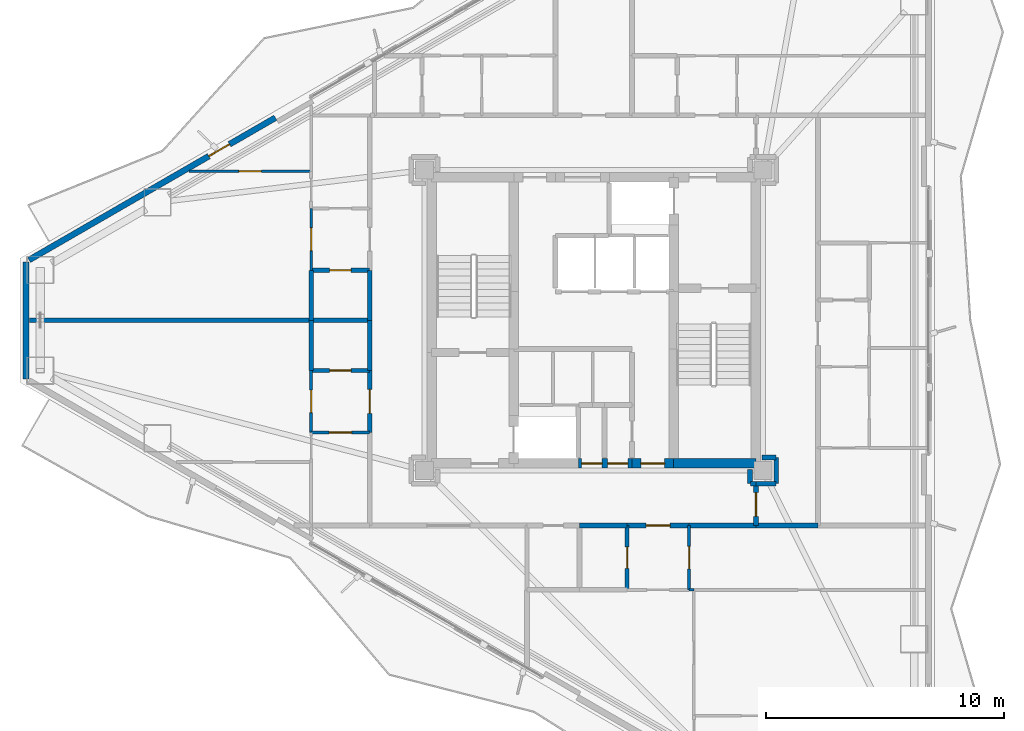
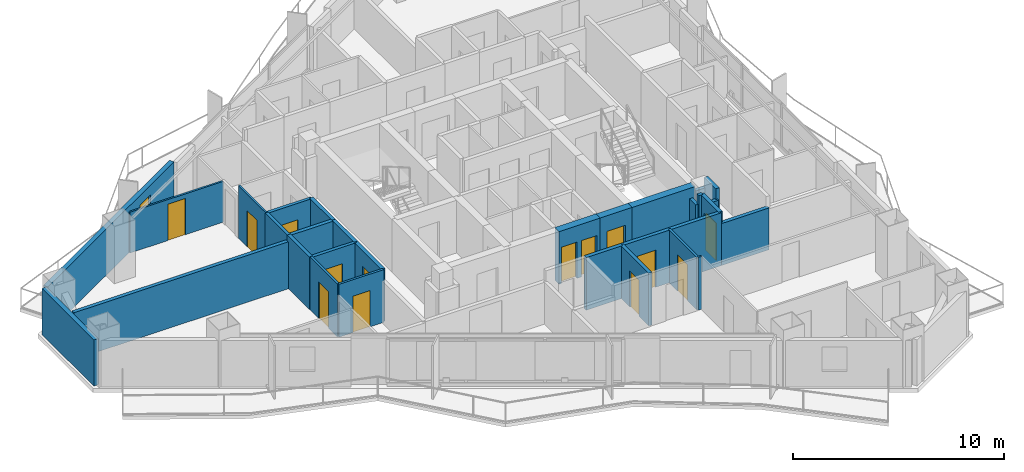
# One storey, part 16 of 22: 31 walls, 15 doors, 15 openings.
"""IFC4 building model written with IfcOpenShell, lengths in metres."""

from ifc_helpers import new_model, si_unit, direction, frame, frame_2d, origin, place, context, subcontext, project, spatial, rectangle, extrude, material, layer, layer_set, type_object, element, fill, save


model = new_model("IFC4")

# Units and contexts
model_context = context("Model", 3, precision=1e-05, world=origin(), true_north=direction((0.0, 1.0)))
body_context = subcontext(model_context, "Body", "Model", "MODEL_VIEW")
ifc_project = project(units=[si_unit("LENGTHUNIT", "METRE"), si_unit("AREAUNIT", "SQUARE_METRE"), si_unit("VOLUMEUNIT", "CUBIC_METRE"), si_unit("PLANEANGLEUNIT", "RADIAN"), si_unit("MASSUNIT", "GRAM", prefix="KILO")], contexts=[model_context])

# Site, building, storey
site_placement = place(None, origin())
site = spatial("IfcSite", under=ifc_project, at=site_placement, CompositionType="ELEMENT")
building_placement = place(site_placement, origin())
building = spatial("IfcBuilding", under=site, at=building_placement, Name="Mersakhor Tower and Convention Hall", CompositionType="ELEMENT")
storey_placement = place(building_placement, frame((0.0, 0.0, 103.199951171875)))
storey = spatial("IfcBuildingStorey", under=building, at=storey_placement, Name="L28", CompositionType="ELEMENT", Elevation=103.199951171875)

# Wall
ifc_material_1 = material(Name="Precast concrete C40/50", Category="concrete")
ifc_layer_1 = layer(ifc_material_1, 0.25)
ifc_layer_set_1 = layer_set([ifc_layer_1], Name="Precast concrete C40/50")
wall_type_1 = type_object("IfcWallType", Name="WL-EXT-250", PredefinedType="SOLIDWALL", material=ifc_layer_set_1)
wall_1_placement = place(storey_placement, frame((5.186767578125, 24.292724609375, 0.0), z_axis=(0.0, 0.0, 1.0), x_axis=(0.0, 1.0, 0.0)))
element("IfcWall", 1, at=wall_1_placement, inside=storey, type_object=wall_type_1, Name="L28 Chamfer Braced Spandrel Wall C3", PredefinedType="SOLIDWALL", context=body_context, shape_type="SweptSolid", body=[
    extrude(rectangle(XDim=4.91455078125, YDim=0.25, at=frame_2d((2.457275390625, 0.0))), origin(), (0.0, 0.0, 1.0), 2.670166015625),
])

# Wall, opening, door
wall_2_placement = place(storey_placement, frame((5.316650390625, 29.2822265625, 0.0), z_axis=(0.0, 0.0, 1.0), x_axis=(0.866023023012, 0.500004123596, 0.0)))
wall_2 = element("IfcWall", 2, at=wall_2_placement, inside=storey, type_object=wall_type_1, Name="L28 Exterior Facade Wall F1-B1", PredefinedType="SOLIDWALL", context=body_context, shape_type="SweptSolid", body=[
    extrude(rectangle(XDim=11.9296875, YDim=0.25, at=frame_2d((5.96484375, 0.0))), origin(), (0.0, 0.0, 1.0), 2.670166015625),
])
opening_1_placement = place(wall_2_placement, frame((8.7041015625, 0.0, 0.0)))
opening_1 = element("IfcOpeningElement", 3, at=opening_1_placement, cuts=wall_2, Name="Opening BD-01", PredefinedType="OPENING", context=body_context, shape_type="SweptSolid", body=[
    extrude(rectangle(XDim=1.0, YDim=2.10009765625, at=frame_2d((0.5, 1.050048828125))), frame((0.0, 0.135009765625, 0.0), z_axis=(0.0, -1.0, 0.0), x_axis=(1.0, 0.0, 0.0)), (0.0, 0.0, 1.0), 0.27001953125),
])
ifc_material_2 = material(Name="Thermally broken dark aluminium and safety glass", Category="aluminium")
door_type_1 = type_object("IfcDoorType", Name="DR-BAL-100x210", OperationType="NOTDEFINED", PredefinedType="DOOR", material=ifc_material_2)
door_1_placement = place(opening_1_placement, origin())
door_1 = element("IfcDoor", 4, at=door_1_placement, inside=storey, type_object=door_type_1, Name="L28 Balcony Terrace Door F1-B1", OperationType="SINGLE_SWING_LEFT", OverallHeight=2.10009765625, OverallWidth=1.0, PredefinedType="DOOR", context=body_context, shape_type="SweptSolid", body=[
    extrude(rectangle(XDim=1.0, YDim=2.10009765625, at=frame_2d((0.5, 1.050048828125))), frame((0.0, 0.02490234375, 0.0), z_axis=(0.0, -1.0, 0.0), x_axis=(1.0, 0.0, 0.0)), (0.0, 0.0, 1.0), 0.050048828125),
])
fill(opening_1, door_1)

ifc_material_3 = material(Name="Moisture-resistant acoustic drywall studwork", Category="other")
ifc_layer_2 = layer(ifc_material_3, 0.175048828125)
ifc_layer_set_2 = layer_set([ifc_layer_2], Name="Moisture-resistant acoustic drywall studwork")
wall_type_2 = type_object("IfcWallType", Name="WL-PLM-175", PredefinedType="PLUMBINGWALL", material=ifc_layer_set_2)
wall_3_placement = place(storey_placement, frame((30.39990234375, 15.449951171875, 0.0), z_axis=(0.0, 0.0, 1.0), x_axis=(0.0, 1.0, 0.0)))
wall_3 = element("IfcWall", 5, at=wall_3_placement, inside=storey, type_object=wall_type_2, Name="L28 Interior Partition Wall P-072", PredefinedType="PLUMBINGWALL", context=body_context, shape_type="SweptSolid", body=[
    extrude(rectangle(XDim=2.699951171875, YDim=0.175048828125, at=frame_2d((1.35009765625, 0.0))), origin(), (0.0, 0.0, 1.0), 3.050048828125),
])
opening_2_placement = place(wall_3_placement, frame((0.89990234375, 0.0, 0.0)))
opening_2 = element("IfcOpeningElement", 6, at=opening_2_placement, cuts=wall_3, Name="Opening WD-01", PredefinedType="OPENING", context=body_context, shape_type="SweptSolid", body=[
    extrude(rectangle(XDim=0.89990234375, YDim=2.10009765625, at=frame_2d((0.449951171875, 1.050048828125))), frame((0.0, 0.097412109375, 0.0), z_axis=(0.0, -1.0, 0.0), x_axis=(1.0, 0.0, 0.0)), (0.0, 0.0, 1.0), 0.195068359375),
])
ifc_material_4 = material(Name="Solid-core hardwood leaf in painted steel frame", Category="steel")
door_type_2 = type_object("IfcDoorType", Name="DR-INT-WET-090x210", OperationType="NOTDEFINED", PredefinedType="DOOR", material=ifc_material_4)
door_2_placement = place(opening_2_placement, origin())
door_2 = element("IfcDoor", 7, at=door_2_placement, inside=storey, type_object=door_type_2, Name="L28 L28 Flat S3 Apartment Hall to L28 Flat S3 Bathroom Door", OperationType="SINGLE_SWING_RIGHT", OverallHeight=2.10009765625, OverallWidth=0.89990234375, PredefinedType="DOOR", context=body_context, shape_type="SweptSolid", body=[
    extrude(rectangle(XDim=0.89990234375, YDim=2.10009765625, at=frame_2d((0.449951171875, 1.050048828125))), frame((0.0, 0.02490234375, 0.0), z_axis=(0.0, -1.0, 0.0), x_axis=(1.0, 0.0, 0.0)), (0.0, 0.0, 1.0), 0.050048828125),
])
fill(opening_2, door_2)

wall_4_placement = place(storey_placement, frame((19.60009765625, 28.85009765625, 0.0), z_axis=(0.0, 0.0, 1.0), x_axis=(-1.0, 0.0, 0.0)))
wall_4 = element("IfcWall", 8, at=wall_4_placement, inside=storey, type_object=wall_type_2, Name="L28 Interior Partition Wall P-076", PredefinedType="PLUMBINGWALL", context=body_context, shape_type="SweptSolid", body=[
    extrude(rectangle(XDim=2.4501953125, YDim=0.175048828125, at=frame_2d((1.22509765625, 0.0))), origin(), (0.0, 0.0, 1.0), 3.050048828125),
])
opening_3_placement = place(wall_4_placement, frame((0.77490234375, 0.0, 0.0)))
opening_3 = element("IfcOpeningElement", 9, at=opening_3_placement, cuts=wall_4, Name="Opening WD-01", PredefinedType="OPENING", context=body_context, shape_type="SweptSolid", body=[
    extrude(rectangle(XDim=0.89990234375, YDim=2.10009765625, at=frame_2d((0.449951171875, 1.050048828125))), frame((0.0, 0.097412109375, 0.0), z_axis=(0.0, -1.0, 0.0), x_axis=(1.0, 0.0, 0.0)), (0.0, 0.0, 1.0), 0.195068359375),
])
door_3_placement = place(opening_3_placement, origin())
door_3 = element("IfcDoor", 10, at=door_3_placement, inside=storey, type_object=door_type_2, Name="L28 L28 Flat W4 Apartment Hall to L28 Flat W4 Bathroom Door", OperationType="SINGLE_SWING_LEFT", OverallHeight=2.10009765625, OverallWidth=0.89990234375, PredefinedType="DOOR", context=body_context, shape_type="SweptSolid", body=[
    extrude(rectangle(XDim=0.89990234375, YDim=2.10009765625, at=frame_2d((0.449951171875, 1.050048828125))), frame((0.0, 0.02490234375, 0.0), z_axis=(0.0, -1.0, 0.0), x_axis=(1.0, 0.0, 0.0)), (0.0, 0.0, 1.0), 0.050048828125),
])
fill(opening_3, door_3)

wall_5_placement = place(storey_placement, frame((17.14990234375, 24.64990234375, 0.0), z_axis=(0.0, 0.0, 1.0), x_axis=(1.0, 0.0, 0.0)))
wall_5 = element("IfcWall", 11, at=wall_5_placement, inside=storey, type_object=wall_type_2, Name="L28 Interior Partition Wall P-078", PredefinedType="PLUMBINGWALL", context=body_context, shape_type="SweptSolid", body=[
    extrude(rectangle(XDim=2.4501953125, YDim=0.175048828125, at=frame_2d((1.22509765625, 0.0))), origin(), (0.0, 0.0, 1.0), 3.050048828125),
])
opening_4_placement = place(wall_5_placement, frame((0.77490234375, 0.0, 0.0)))
opening_4 = element("IfcOpeningElement", 12, at=opening_4_placement, cuts=wall_5, Name="Opening WD-01", PredefinedType="OPENING", context=body_context, shape_type="SweptSolid", body=[
    extrude(rectangle(XDim=0.89990234375, YDim=2.10009765625, at=frame_2d((0.449951171875, 1.050048828125))), frame((0.0, 0.097412109375, 0.0), z_axis=(0.0, -1.0, 0.0), x_axis=(1.0, 0.0, 0.0)), (0.0, 0.0, 1.0), 0.195068359375),
])
door_4_placement = place(opening_4_placement, origin())
door_4 = element("IfcDoor", 13, at=door_4_placement, inside=storey, type_object=door_type_2, Name="L28 L28 Flat W5 Apartment Hall to L28 Flat W5 Bathroom Door", OperationType="SINGLE_SWING_RIGHT", OverallHeight=2.10009765625, OverallWidth=0.89990234375, PredefinedType="DOOR", context=body_context, shape_type="SweptSolid", body=[
    extrude(rectangle(XDim=0.89990234375, YDim=2.10009765625, at=frame_2d((0.449951171875, 1.050048828125))), frame((0.0, 0.02490234375, 0.0), z_axis=(0.0, -1.0, 0.0), x_axis=(1.0, 0.0, 0.0)), (0.0, 0.0, 1.0), 0.050048828125),
])
fill(opening_4, door_4)

# Walls
for number, where, z_axis, x_axis, name in (
    (14, (17.14990234375, 26.75, 0.0), (0.0, 0.0, 1.0), (0.0, 1.0, 0.0), "L28 Interior Partition Wall P-099"),
    (15, (17.14990234375, 24.64990234375, 0.0), (0.0, 0.0, 1.0), (0.0, 1.0, 0.0), "L28 Interior Partition Wall P-104"),
):
    element("IfcWall", number, at=place(storey_placement, frame(where, z_axis=z_axis, x_axis=x_axis)), inside=storey, type_object=wall_type_2, Name=name, PredefinedType="PLUMBINGWALL", context=body_context, shape_type="SweptSolid", body=[
        extrude(rectangle(XDim=2.10009765625, YDim=0.175048828125, at=frame_2d((1.050048828125, 0.0))), origin(), (0.0, 0.0, 1.0), 3.050048828125),
    ])

# Wall, opening, door
ifc_material_5 = material(Name="Lightweight gypsum partition", Category="other")
ifc_layer_3 = layer(ifc_material_5, 0.10009765625)
ifc_layer_set_3 = layer_set([ifc_layer_3], Name="Lightweight gypsum partition")
wall_type_3 = type_object("IfcWallType", Name="WL-PRT-100", PredefinedType="PARTITIONING", material=ifc_layer_set_3)
wall_6_placement = place(storey_placement, frame((17.14990234375, 28.85009765625, 0.0), z_axis=(0.0, 0.0, 1.0), x_axis=(0.0, 1.0, 0.0)))
wall_6 = element("IfcWall", 16, at=wall_6_placement, inside=storey, type_object=wall_type_3, Name="L28 Interior Partition Wall P-074", PredefinedType="PARTITIONING", context=body_context, shape_type="SweptSolid", body=[
    extrude(rectangle(XDim=2.599853515625, YDim=0.10009765625, at=frame_2d((1.2998046875, 0.0))), origin(), (0.0, 0.0, 1.0), 3.050048828125),
])
opening_5_placement = place(wall_6_placement, frame((0.824951171875, 0.0, 0.0)))
opening_5 = element("IfcOpeningElement", 17, at=opening_5_placement, cuts=wall_6, Name="Opening RD-01", PredefinedType="OPENING", context=body_context, shape_type="SweptSolid", body=[
    extrude(rectangle(XDim=0.949951171875, YDim=2.10009765625, at=frame_2d((0.47509765625, 1.050048828125))), frame((0.0, 0.06005859375, 0.0), z_axis=(0.0, -1.0, 0.0), x_axis=(1.0, 0.0, 0.0)), (0.0, 0.0, 1.0), 0.1201171875),
])
ifc_material_6 = material(Name="Solid-core hardwood leaf in painted steel frame", Category="steel")
door_type_3 = type_object("IfcDoorType", Name="DR-INT-RM-095x210", OperationType="NOTDEFINED", PredefinedType="DOOR", material=ifc_material_6)
door_5_placement = place(opening_5_placement, origin())
door_5 = element("IfcDoor", 18, at=door_5_placement, inside=storey, type_object=door_type_3, Name="L28 L28 Flat W4 Apartment Hall to L28 Flat W4 Living and Dining Room Door", OperationType="SINGLE_SWING_LEFT", OverallHeight=2.10009765625, OverallWidth=0.949951171875, PredefinedType="DOOR", context=body_context, shape_type="SweptSolid", body=[
    extrude(rectangle(XDim=0.949951171875, YDim=2.10009765625, at=frame_2d((0.47509765625, 1.050048828125))), frame((0.0, 0.02490234375, 0.0), z_axis=(0.0, -1.0, 0.0), x_axis=(1.0, 0.0, 0.0)), (0.0, 0.0, 1.0), 0.050048828125),
])
fill(opening_5, door_5)

# Wall
wall_7_placement = place(storey_placement, frame((33.199951171875, 15.449951171875, 0.0), z_axis=(0.0, 0.0, 1.0), x_axis=(-1.0, 0.0, 0.0)))
element("IfcWall", 19, at=wall_7_placement, inside=storey, type_object=wall_type_3, Name="L28 Interior Partition Wall P-098", PredefinedType="PARTITIONING", context=body_context, shape_type="SweptSolid", body=[
    extrude(rectangle(XDim=0.199951171875, YDim=0.10009765625, at=frame_2d((0.10009765625, 0.0))), origin(), (0.0, 0.0, 1.0), 3.050048828125),
])

# Wall, opening, door
wall_8_placement = place(storey_placement, frame((12.02685546875, 33.0, 0.0), z_axis=(0.0, 0.0, 1.0), x_axis=(1.0, 0.0, 0.0)))
wall_8 = element("IfcWall", 20, at=wall_8_placement, inside=storey, type_object=wall_type_3, Name="L28 Interior Partition Wall P-124", PredefinedType="PARTITIONING", context=body_context, shape_type="SweptSolid", body=[
    extrude(rectangle(XDim=5.123046875, YDim=0.10009765625, at=frame_2d((2.5615234375, 0.0))), origin(), (0.0, 0.0, 1.0), 2.364990234375),
])
opening_6_placement = place(wall_8_placement, frame((2.08642578125, 0.0, 0.0)))
opening_6 = element("IfcOpeningElement", 21, at=opening_6_placement, cuts=wall_8, Name="Opening RD-01", PredefinedType="OPENING", context=body_context, shape_type="SweptSolid", body=[
    extrude(rectangle(XDim=0.949951171875, YDim=2.10009765625, at=frame_2d((0.47509765625, 1.050048828125))), frame((0.0, 0.06005859375, 0.0), z_axis=(0.0, -1.0, 0.0), x_axis=(1.0, 0.0, 0.0)), (0.0, 0.0, 1.0), 0.1201171875),
])
door_6_placement = place(opening_6_placement, origin())
door_6 = element("IfcDoor", 22, at=door_6_placement, inside=storey, type_object=door_type_3, Name="L28 L28 Flat W4 Living and Dining Room to L28 Flat W4 Bedroom 1 Door", OperationType="SINGLE_SWING_LEFT", OverallHeight=2.10009765625, OverallWidth=0.949951171875, PredefinedType="DOOR", context=body_context, shape_type="SweptSolid", body=[
    extrude(rectangle(XDim=0.949951171875, YDim=2.10009765625, at=frame_2d((0.47509765625, 1.050048828125))), frame((0.0, 0.02490234375, 0.0), z_axis=(0.0, -1.0, 0.0), x_axis=(1.0, 0.0, 0.0)), (0.0, 0.0, 1.0), 0.050048828125),
])
fill(opening_6, door_6)

ifc_material_7 = material(Name="Gypsum board acoustic partition", Category="other")
ifc_layer_4 = layer(ifc_material_7, 0.125)
ifc_layer_set_4 = layer_set([ifc_layer_4], Name="Gypsum board acoustic partition")
wall_type_4 = type_object("IfcWallType", Name="WL-PRT-125", PredefinedType="PARTITIONING", material=ifc_layer_set_4)
wall_9_placement = place(storey_placement, frame((33.0, 18.14990234375, 0.0), z_axis=(0.0, 0.0, 1.0), x_axis=(0.0, -1.0, 0.0)))
wall_9 = element("IfcWall", 23, at=wall_9_placement, inside=storey, type_object=wall_type_4, Name="L28 Interior Partition Wall P-073", PredefinedType="PARTITIONING", context=body_context, shape_type="SweptSolid", body=[
    extrude(rectangle(XDim=2.699951171875, YDim=0.125, at=frame_2d((1.35009765625, 0.0))), origin(), (0.0, 0.0, 1.0), 3.050048828125),
])
opening_7_placement = place(wall_9_placement, frame((0.875, 0.0, 0.0)))
opening_7 = element("IfcOpeningElement", 24, at=opening_7_placement, cuts=wall_9, Name="Opening RD-01", PredefinedType="OPENING", context=body_context, shape_type="SweptSolid", body=[
    extrude(rectangle(XDim=0.949951171875, YDim=2.10009765625, at=frame_2d((0.47509765625, 1.050048828125))), frame((0.0, 0.072509765625, 0.0), z_axis=(0.0, -1.0, 0.0), x_axis=(1.0, 0.0, 0.0)), (0.0, 0.0, 1.0), 0.14501953125),
])
door_7_placement = place(opening_7_placement, origin())
door_7 = element("IfcDoor", 25, at=door_7_placement, inside=storey, type_object=door_type_3, Name="L28 L28 Flat S3 Apartment Hall to L28 Flat S3 Kitchen Door", OperationType="SINGLE_SWING_LEFT", OverallHeight=2.10009765625, OverallWidth=0.949951171875, PredefinedType="DOOR", context=body_context, shape_type="SweptSolid", body=[
    extrude(rectangle(XDim=0.949951171875, YDim=2.10009765625, at=frame_2d((0.47509765625, 1.050048828125))), frame((0.0, 0.02490234375, 0.0), z_axis=(0.0, -1.0, 0.0), x_axis=(1.0, 0.0, 0.0)), (0.0, 0.0, 1.0), 0.050048828125),
])
fill(opening_7, door_7)

wall_10_placement = place(storey_placement, frame((17.14990234375, 22.050048828125, 0.0), z_axis=(0.0, 0.0, 1.0), x_axis=(0.0, 1.0, 0.0)))
wall_10 = element("IfcWall", 26, at=wall_10_placement, inside=storey, type_object=wall_type_4, Name="L28 Interior Partition Wall P-077", PredefinedType="PARTITIONING", context=body_context, shape_type="SweptSolid", body=[
    extrude(rectangle(XDim=2.599853515625, YDim=0.125, at=frame_2d((1.2998046875, 0.0))), origin(), (0.0, 0.0, 1.0), 3.050048828125),
])
opening_8_placement = place(wall_10_placement, frame((0.824951171875, 0.0, 0.0)))
opening_8 = element("IfcOpeningElement", 27, at=opening_8_placement, cuts=wall_10, Name="Opening RD-01", PredefinedType="OPENING", context=body_context, shape_type="SweptSolid", body=[
    extrude(rectangle(XDim=0.949951171875, YDim=2.10009765625, at=frame_2d((0.47509765625, 1.050048828125))), frame((0.0, 0.072509765625, 0.0), z_axis=(0.0, -1.0, 0.0), x_axis=(1.0, 0.0, 0.0)), (0.0, 0.0, 1.0), 0.14501953125),
])
door_8_placement = place(opening_8_placement, origin())
door_8 = element("IfcDoor", 28, at=door_8_placement, inside=storey, type_object=door_type_3, Name="L28 L28 Flat W5 Apartment Hall to L28 Flat W5 Living and Dining Room Door", OperationType="SINGLE_SWING_RIGHT", OverallHeight=2.10009765625, OverallWidth=0.949951171875, PredefinedType="DOOR", context=body_context, shape_type="SweptSolid", body=[
    extrude(rectangle(XDim=0.949951171875, YDim=2.10009765625, at=frame_2d((0.47509765625, 1.050048828125))), frame((0.0, 0.02490234375, 0.0), z_axis=(0.0, -1.0, 0.0), x_axis=(1.0, 0.0, 0.0)), (0.0, 0.0, 1.0), 0.050048828125),
])
fill(opening_8, door_8)

wall_11_placement = place(storey_placement, frame((19.60009765625, 22.050048828125, 0.0), z_axis=(0.0, 0.0, 1.0), x_axis=(-1.0, 0.0, 0.0)))
wall_11 = element("IfcWall", 29, at=wall_11_placement, inside=storey, type_object=wall_type_4, Name="L28 Interior Partition Wall P-079", PredefinedType="PARTITIONING", context=body_context, shape_type="SweptSolid", body=[
    extrude(rectangle(XDim=2.4501953125, YDim=0.125, at=frame_2d((1.22509765625, 0.0))), origin(), (0.0, 0.0, 1.0), 3.050048828125),
])
opening_9_placement = place(wall_11_placement, frame((0.75, 0.0, 0.0)))
opening_9 = element("IfcOpeningElement", 30, at=opening_9_placement, cuts=wall_11, Name="Opening RD-01", PredefinedType="OPENING", context=body_context, shape_type="SweptSolid", body=[
    extrude(rectangle(XDim=0.949951171875, YDim=2.10009765625, at=frame_2d((0.47509765625, 1.050048828125))), frame((0.0, 0.072509765625, 0.0), z_axis=(0.0, -1.0, 0.0), x_axis=(1.0, 0.0, 0.0)), (0.0, 0.0, 1.0), 0.14501953125),
])
door_9_placement = place(opening_9_placement, origin())
door_9 = element("IfcDoor", 31, at=door_9_placement, inside=storey, type_object=door_type_3, Name="L28 L28 Flat W5 Apartment Hall to L28 Flat W5 Kitchen Door", OperationType="SINGLE_SWING_LEFT", OverallHeight=2.10009765625, OverallWidth=0.949951171875, PredefinedType="DOOR", context=body_context, shape_type="SweptSolid", body=[
    extrude(rectangle(XDim=0.949951171875, YDim=2.10009765625, at=frame_2d((0.47509765625, 1.050048828125))), frame((0.0, 0.02490234375, 0.0), z_axis=(0.0, -1.0, 0.0), x_axis=(1.0, 0.0, 0.0)), (0.0, 0.0, 1.0), 0.050048828125),
])
fill(opening_9, door_9)

# Walls
ifc_material_8 = material(Name="Acoustic concrete blockwork and gypsum board", Category="masonry")
ifc_layer_5 = layer(ifc_material_8, 0.199951171875)
ifc_layer_set_5 = layer_set([ifc_layer_5], Name="Acoustic concrete blockwork and gypsum board")
wall_type_5 = type_object("IfcWallType", Name="WL-PRT-200", PredefinedType="PARTITIONING", material=ifc_layer_set_5)
wall_12_placement = place(storey_placement, frame((35.550048828125, 20.5, 0.0), z_axis=(0.0, 0.0, 1.0), x_axis=(0.0, -1.0, 0.0)))
element("IfcWall", 32, at=wall_12_placement, inside=storey, type_object=wall_type_5, Name="L28 Interior Partition Wall P-021", PredefinedType="PARTITIONING", context=body_context, shape_type="SweptSolid", body=[
    extrude(rectangle(XDim=0.60009765625, YDim=0.199951171875, at=frame_2d((0.300048828125, 0.0))), origin(), (0.0, 0.0, 1.0), 2.498291015625),
])
wall_13_placement = place(storey_placement, frame((35.580078125, 19.89990234375, 0.0), z_axis=(0.0, 0.0, 1.0), x_axis=(1.0, 0.0, 0.0)))
element("IfcWall", 33, at=wall_13_placement, inside=storey, type_object=wall_type_5, Name="L28 Interior Partition Wall P-022", PredefinedType="PARTITIONING", context=body_context, shape_type="SweptSolid", body=[
    extrude(rectangle(XDim=0.219970703125, YDim=0.199951171875, at=frame_2d((0.10986328125, 0.0))), origin(), (0.0, 0.0, 1.0), 3.050048828125),
])

# Wall, opening, door
wall_14_placement = place(storey_placement, frame((35.800048828125, 19.89990234375, 0.0), z_axis=(0.0, 0.0, 1.0), x_axis=(0.0, -1.0, 0.0)))
wall_14 = element("IfcWall", 34, at=wall_14_placement, inside=storey, type_object=wall_type_5, Name="L28 Interior Partition Wall P-023", PredefinedType="PARTITIONING", context=body_context, shape_type="SweptSolid", body=[
    extrude(rectangle(XDim=1.75, YDim=0.199951171875, at=frame_2d((0.875, 0.0))), origin(), (0.0, 0.0, 1.0), 3.050048828125),
])
opening_10_placement = place(wall_14_placement, frame((0.375, 0.0, 0.0)))
opening_10 = element("IfcOpeningElement", 35, at=opening_10_placement, cuts=wall_14, Name="Opening FD-01", PredefinedType="OPENING", context=body_context, shape_type="SweptSolid", body=[
    extrude(rectangle(XDim=1.0, YDim=2.14990234375, at=frame_2d((0.5, 1.074951171875))), frame((0.0, 0.10986328125, 0.0), z_axis=(0.0, -1.0, 0.0), x_axis=(1.0, 0.0, 0.0)), (0.0, 0.0, 1.0), 0.219970703125),
])
ifc_material_9 = material(Name="Fire-rated hardwood leaf and painted steel frame", Category="steel")
door_type_4 = type_object("IfcDoorType", Name="DR-INT-FLT-100x215", OperationType="NOTDEFINED", PredefinedType="DOOR", material=ifc_material_9)
door_10_placement = place(opening_10_placement, origin())
door_10 = element("IfcDoor", 36, at=door_10_placement, inside=storey, type_object=door_type_4, Name="L28 Ring Corridor Fire Door", OperationType="SINGLE_SWING_LEFT", OverallHeight=2.14990234375, OverallWidth=1.0, PredefinedType="DOOR", context=body_context, shape_type="SweptSolid", body=[
    extrude(rectangle(XDim=1.0, YDim=2.14990234375, at=frame_2d((0.5, 1.074951171875))), frame((0.0, 0.02490234375, 0.0), z_axis=(0.0, -1.0, 0.0), x_axis=(1.0, 0.0, 0.0)), (0.0, 0.0, 1.0), 0.050048828125),
])
fill(opening_10, door_10)

# Wall
wall_15_placement = place(storey_placement, frame((35.800048828125, 18.14990234375, 0.0), z_axis=(0.0, 0.0, 1.0), x_axis=(-1.0, 0.0, 0.0)))
element("IfcWall", 37, at=wall_15_placement, inside=storey, type_object=wall_type_5, Name="L28 Interior Partition Wall P-024", PredefinedType="PARTITIONING", context=body_context, shape_type="SweptSolid", body=[
    extrude(rectangle(XDim=2.800048828125, YDim=0.199951171875, at=frame_2d((1.39990234375, 0.0))), origin(), (0.0, 0.0, 1.0), 3.050048828125),
])

# Wall, opening, door
wall_16_placement = place(storey_placement, frame((33.0, 18.14990234375, 0.0), z_axis=(0.0, 0.0, 1.0), x_axis=(-1.0, 0.0, 0.0)))
wall_16 = element("IfcWall", 38, at=wall_16_placement, inside=storey, type_object=wall_type_5, Name="L28 Interior Partition Wall P-025", PredefinedType="PARTITIONING", context=body_context, shape_type="SweptSolid", body=[
    extrude(rectangle(XDim=2.60009765625, YDim=0.199951171875, at=frame_2d((1.300048828125, 0.0))), origin(), (0.0, 0.0, 1.0), 3.050048828125),
])
opening_11_placement = place(wall_16_placement, frame((0.800048828125, 0.0, 0.0)))
opening_11 = element("IfcOpeningElement", 39, at=opening_11_placement, cuts=wall_16, Name="Opening FD-01", PredefinedType="OPENING", context=body_context, shape_type="SweptSolid", body=[
    extrude(rectangle(XDim=1.0, YDim=2.14990234375, at=frame_2d((0.5, 1.074951171875))), frame((0.0, 0.10986328125, 0.0), z_axis=(0.0, -1.0, 0.0), x_axis=(1.0, 0.0, 0.0)), (0.0, 0.0, 1.0), 0.219970703125),
])
door_11_placement = place(opening_11_placement, origin())
door_11 = element("IfcDoor", 40, at=door_11_placement, inside=storey, type_object=door_type_4, Name="L28 Apartment Entrance Door (Residential Ring Corridor to L28 Flat S3 Apartment Hall)", OperationType="SINGLE_SWING_LEFT", OverallHeight=2.14990234375, OverallWidth=1.0, PredefinedType="DOOR", context=body_context, shape_type="SweptSolid", body=[
    extrude(rectangle(XDim=1.0, YDim=2.14990234375, at=frame_2d((0.5, 1.074951171875))), frame((0.0, 0.02490234375, 0.0), z_axis=(0.0, -1.0, 0.0), x_axis=(1.0, 0.0, 0.0)), (0.0, 0.0, 1.0), 0.050048828125),
])
fill(opening_11, door_11)

# Wall
wall_17_placement = place(storey_placement, frame((30.39990234375, 18.14990234375, 0.0), z_axis=(0.0, 0.0, 1.0), x_axis=(-1.0, 0.0, 0.0)))
element("IfcWall", 41, at=wall_17_placement, inside=storey, type_object=wall_type_5, Name="L28 Interior Partition Wall P-026", PredefinedType="PARTITIONING", context=body_context, shape_type="SweptSolid", body=[
    extrude(rectangle(XDim=2.0, YDim=0.199951171875, at=frame_2d((1.0, 0.0))), origin(), (0.0, 0.0, 1.0), 3.050048828125),
])

# Wall, opening, door
wall_18_placement = place(storey_placement, frame((19.60009765625, 22.050048828125, 0.0), z_axis=(0.0, 0.0, 1.0), x_axis=(0.0, 1.0, 0.0)))
wall_18 = element("IfcWall", 42, at=wall_18_placement, inside=storey, type_object=wall_type_5, Name="L28 Interior Partition Wall P-030", PredefinedType="PARTITIONING", context=body_context, shape_type="SweptSolid", body=[
    extrude(rectangle(XDim=2.599853515625, YDim=0.199951171875, at=frame_2d((1.2998046875, 0.0))), origin(), (0.0, 0.0, 1.0), 3.050048828125),
])
opening_12_placement = place(wall_18_placement, frame((0.800048828125, 0.0, 0.0)))
opening_12 = element("IfcOpeningElement", 43, at=opening_12_placement, cuts=wall_18, Name="Opening FD-01", PredefinedType="OPENING", context=body_context, shape_type="SweptSolid", body=[
    extrude(rectangle(XDim=1.0, YDim=2.14990234375, at=frame_2d((0.5, 1.074951171875))), frame((0.0, 0.10986328125, 0.0), z_axis=(0.0, -1.0, 0.0), x_axis=(1.0, 0.0, 0.0)), (0.0, 0.0, 1.0), 0.219970703125),
])
door_12_placement = place(opening_12_placement, origin())
door_12 = element("IfcDoor", 44, at=door_12_placement, inside=storey, type_object=door_type_4, Name="L28 Apartment Entrance Door (Residential Ring Corridor to L28 Flat W5 Apartment Hall)", OperationType="SINGLE_SWING_LEFT", OverallHeight=2.14990234375, OverallWidth=1.0, PredefinedType="DOOR", context=body_context, shape_type="SweptSolid", body=[
    extrude(rectangle(XDim=1.0, YDim=2.14990234375, at=frame_2d((0.5, 1.074951171875))), frame((0.0, 0.02490234375, 0.0), z_axis=(0.0, -1.0, 0.0), x_axis=(1.0, 0.0, 0.0)), (0.0, 0.0, 1.0), 0.050048828125),
])
fill(opening_12, door_12)

# Walls
for number, where, z_axis, x_axis, name in (
    (45, (19.60009765625, 24.64990234375, 0.0), (0.0, 0.0, 1.0), (0.0, 1.0, 0.0), "L28 Interior Partition Wall P-031"),
    (46, (19.60009765625, 26.75, 0.0), (0.0, 0.0, 1.0), (0.0, 1.0, 0.0), "L28 Interior Partition Wall P-032"),
):
    element("IfcWall", number, at=place(storey_placement, frame(where, z_axis=z_axis, x_axis=x_axis)), inside=storey, type_object=wall_type_5, Name=name, PredefinedType="PARTITIONING", context=body_context, shape_type="SweptSolid", body=[
        extrude(rectangle(XDim=2.10009765625, YDim=0.199951171875, at=frame_2d((1.050048828125, 0.0))), origin(), (0.0, 0.0, 1.0), 3.050048828125),
    ])
wall_19_placement = place(storey_placement, frame((36.64990234375, 21.0, 0.0), z_axis=(0.0, 0.0, 1.0), x_axis=(-1.0, 0.0, 0.0)))
element("IfcWall", 47, at=wall_19_placement, inside=storey, type_object=wall_type_5, Name="L28 Interior Partition Wall P-052", PredefinedType="PARTITIONING", context=body_context, shape_type="SweptSolid", body=[
    extrude(rectangle(XDim=0.599853515625, YDim=0.199951171875, at=frame_2d((0.2998046875, 0.0))), origin(), (0.0, 0.0, 1.0), 2.498291015625),
])
wall_20_placement = place(storey_placement, frame((38.39990234375, 18.14990234375, 0.0), z_axis=(0.0, 0.0, 1.0), x_axis=(-1.0, 0.0, 0.0)))
element("IfcWall", 48, at=wall_20_placement, inside=storey, type_object=wall_type_5, Name="L28 Interior Partition Wall P-062", PredefinedType="PARTITIONING", context=body_context, shape_type="SweptSolid", body=[
    extrude(rectangle(XDim=2.599853515625, YDim=0.199951171875, at=frame_2d((1.2998046875, 0.0))), origin(), (0.0, 0.0, 1.0), 2.4228515625),
])
wall_21_placement = place(storey_placement, frame((35.800048828125, 19.89990234375, 0.0), z_axis=(0.0, 0.0, 1.0), x_axis=(1.0, 0.0, 0.0)))
element("IfcWall", 49, at=wall_21_placement, inside=storey, type_object=wall_type_5, Name="L28 Interior Partition Wall P-063", PredefinedType="PARTITIONING", context=body_context, shape_type="SweptSolid", body=[
    extrude(rectangle(XDim=0.849853515625, YDim=0.199951171875, at=frame_2d((0.4248046875, 0.0))), origin(), (0.0, 0.0, 1.0), 2.4228515625),
])
wall_22_placement = place(storey_placement, frame((36.64990234375, 19.89990234375, 0.0), z_axis=(0.0, 0.0, 1.0), x_axis=(0.0, 1.0, 0.0)))
element("IfcWall", 50, at=wall_22_placement, inside=storey, type_object=wall_type_5, Name="L28 Interior Partition Wall P-064", PredefinedType="PARTITIONING", context=body_context, shape_type="SweptSolid", body=[
    extrude(rectangle(XDim=1.10009765625, YDim=0.199951171875, at=frame_2d((0.550048828125, 0.0))), origin(), (0.0, 0.0, 1.0), 3.050048828125),
])
wall_23_placement = place(storey_placement, frame((19.60009765625, 26.75, 0.0), z_axis=(0.0, 0.0, 1.0), x_axis=(-1.0, 0.0, 0.0)))
element("IfcWall", 51, at=wall_23_placement, inside=storey, type_object=wall_type_5, Name="L28 Interior Partition Wall P-100", PredefinedType="PARTITIONING", context=body_context, shape_type="SweptSolid", body=[
    extrude(rectangle(XDim=2.4501953125, YDim=0.199951171875, at=frame_2d((1.22509765625, 0.0))), origin(), (0.0, 0.0, 1.0), 3.050048828125),
])
wall_24_placement = place(storey_placement, frame((17.14990234375, 26.75, 0.0), z_axis=(0.0, 0.0, 1.0), x_axis=(-1.0, 0.0, 0.0)))
element("IfcWall", 52, at=wall_24_placement, inside=storey, type_object=wall_type_5, Name="L28 Interior Partition Wall P-125", PredefinedType="PARTITIONING", context=body_context, shape_type="SweptSolid", body=[
    extrude(rectangle(XDim=11.814208984375, YDim=0.199951171875, at=frame_2d((5.9072265625, 0.0))), origin(), (0.0, 0.0, 1.0), 2.714599609375),
])
ifc_material_10 = material(Name="Concrete C60/75", Category="concrete")
ifc_layer_6 = layer(ifc_material_10, 0.39990234375)
ifc_layer_set_6 = layer_set([ifc_layer_6], Name="Concrete C60/75")
wall_type_6 = type_object("IfcWallType", Name="WL-SHR-400", PredefinedType="SHEAR", material=ifc_layer_set_6)
wall_25_placement = place(storey_placement, frame((35.800048828125, 20.75, 0.0), z_axis=(0.0, 0.0, 1.0), x_axis=(-1.0, 0.0, 0.0)))
element("IfcWall", 53, at=wall_25_placement, inside=storey, type_object=wall_type_6, Name="L28 Core Wall CW-S1", PredefinedType="SHEAR", context=body_context, shape_type="SweptSolid", body=[
    extrude(rectangle(XDim=3.449951171875, YDim=0.39990234375, at=frame_2d((1.72509765625, 0.0))), origin(), (0.0, 0.0, 1.0), 3.050048828125),
])

# Wall, opening, door
wall_26_placement = place(storey_placement, frame((32.35009765625, 20.75, 0.0), z_axis=(0.0, 0.0, 1.0), x_axis=(-1.0, 0.0, 0.0)))
wall_26 = element("IfcWall", 54, at=wall_26_placement, inside=storey, type_object=wall_type_6, Name="L28 Core Wall CW-S2A", PredefinedType="SHEAR", context=body_context, shape_type="SweptSolid", body=[
    extrude(rectangle(XDim=1.75, YDim=0.39990234375, at=frame_2d((0.875, 0.0))), origin(), (0.0, 0.0, 1.0), 3.050048828125),
])
opening_13_placement = place(wall_26_placement, frame((0.375, 0.0, 0.0)))
opening_13 = element("IfcOpeningElement", 55, at=opening_13_placement, cuts=wall_26, Name="Opening CFD-01", PredefinedType="OPENING", context=body_context, shape_type="SweptSolid", body=[
    extrude(rectangle(XDim=1.0, YDim=2.14990234375, at=frame_2d((0.5, 1.074951171875))), frame((0.0, 0.2099609375, 0.0), z_axis=(0.0, -1.0, 0.0), x_axis=(1.0, 0.0, 0.0)), (0.0, 0.0, 1.0), 0.419921875),
])
ifc_material_11 = material(Name="Fire-rated hardwood leaf and painted steel frame", Category="steel")
door_type_5 = type_object("IfcDoorType", Name="DR-CORE-FD-100x215", OperationType="NOTDEFINED", PredefinedType="DOOR", material=ifc_material_11)
door_13_placement = place(opening_13_placement, origin())
door_13 = element("IfcDoor", 56, at=door_13_placement, inside=storey, type_object=door_type_5, Name="L28 Lift Lobby South Corridor Door", OperationType="SINGLE_SWING_RIGHT", OverallHeight=2.14990234375, OverallWidth=1.0, PredefinedType="DOOR", context=body_context, shape_type="SweptSolid", body=[
    extrude(rectangle(XDim=1.0, YDim=2.14990234375, at=frame_2d((0.5, 1.074951171875))), frame((0.0, 0.02490234375, 0.0), z_axis=(0.0, -1.0, 0.0), x_axis=(1.0, 0.0, 0.0)), (0.0, 0.0, 1.0), 0.050048828125),
])
fill(opening_13, door_13)

# Wall, openings, doors
wall_27_placement = place(storey_placement, frame((30.60009765625, 20.75, 0.0), z_axis=(0.0, 0.0, 1.0), x_axis=(-1.0, 0.0, 0.0)))
wall_27 = element("IfcWall", 57, at=wall_27_placement, inside=storey, type_object=wall_type_6, Name="L28 Core Wall CW-S2B", PredefinedType="SHEAR", context=body_context, shape_type="SweptSolid", body=[
    extrude(rectangle(XDim=2.25, YDim=0.39990234375, at=frame_2d((1.125, 0.0))), origin(), (0.0, 0.0, 1.0), 3.050048828125),
])
opening_14_placement = place(wall_27_placement, frame((1.2548828125, 0.0, 0.0)))
opening_14 = element("IfcOpeningElement", 58, at=opening_14_placement, cuts=wall_27, Name="Opening SVD-01", PredefinedType="OPENING", context=body_context, shape_type="SweptSolid", body=[
    extrude(rectangle(XDim=0.85009765625, YDim=2.10009765625, at=frame_2d((0.425048828125, 1.050048828125))), frame((0.0, 0.2099609375, 0.0), z_axis=(0.0, -1.0, 0.0), x_axis=(1.0, 0.0, 0.0)), (0.0, 0.0, 1.0), 0.419921875),
])
opening_15_placement = place(wall_27_placement, frame((0.169921875, 0.0, 0.0)))
opening_15 = element("IfcOpeningElement", 59, at=opening_15_placement, cuts=wall_27, Name="Opening SVD-01", PredefinedType="OPENING", context=body_context, shape_type="SweptSolid", body=[
    extrude(rectangle(XDim=0.85009765625, YDim=2.10009765625, at=frame_2d((0.425048828125, 1.050048828125))), frame((0.0, 0.2099609375, 0.0), z_axis=(0.0, -1.0, 0.0), x_axis=(1.0, 0.0, 0.0)), (0.0, 0.0, 1.0), 0.419921875),
])
ifc_material_12 = material(Name="Fire-rated hardwood leaf and painted steel frame", Category="steel")
door_type_6 = type_object("IfcDoorType", Name="DR-INT-SVC-085x210", OperationType="NOTDEFINED", PredefinedType="DOOR", material=ifc_material_12)
door_14_placement = place(opening_14_placement, origin())
door_14 = element("IfcDoor", 60, at=door_14_placement, inside=storey, type_object=door_type_6, Name="L28 Residential Ring Corridor to Sub-Metering Switch Room Door", OperationType="SINGLE_SWING_LEFT", OverallHeight=2.10009765625, OverallWidth=0.85009765625, PredefinedType="DOOR", context=body_context, shape_type="SweptSolid", body=[
    extrude(rectangle(XDim=0.85009765625, YDim=2.10009765625, at=frame_2d((0.425048828125, 1.050048828125))), frame((0.0, 0.02490234375, 0.0), z_axis=(0.0, -1.0, 0.0), x_axis=(1.0, 0.0, 0.0)), (0.0, 0.0, 1.0), 0.050048828125),
])
fill(opening_14, door_14)
door_15_placement = place(opening_15_placement, origin())
door_15 = element("IfcDoor", 61, at=door_15_placement, inside=storey, type_object=door_type_6, Name="L28 Residential Ring Corridor to Core Maintenance Store Room Door", OperationType="SINGLE_SWING_RIGHT", OverallHeight=2.10009765625, OverallWidth=0.85009765625, PredefinedType="DOOR", context=body_context, shape_type="SweptSolid", body=[
    extrude(rectangle(XDim=0.85009765625, YDim=2.10009765625, at=frame_2d((0.425048828125, 1.050048828125))), frame((0.0, 0.02490234375, 0.0), z_axis=(0.0, -1.0, 0.0), x_axis=(1.0, 0.0, 0.0)), (0.0, 0.0, 1.0), 0.050048828125),
])
fill(opening_15, door_15)

save(model, "model.ifc")
